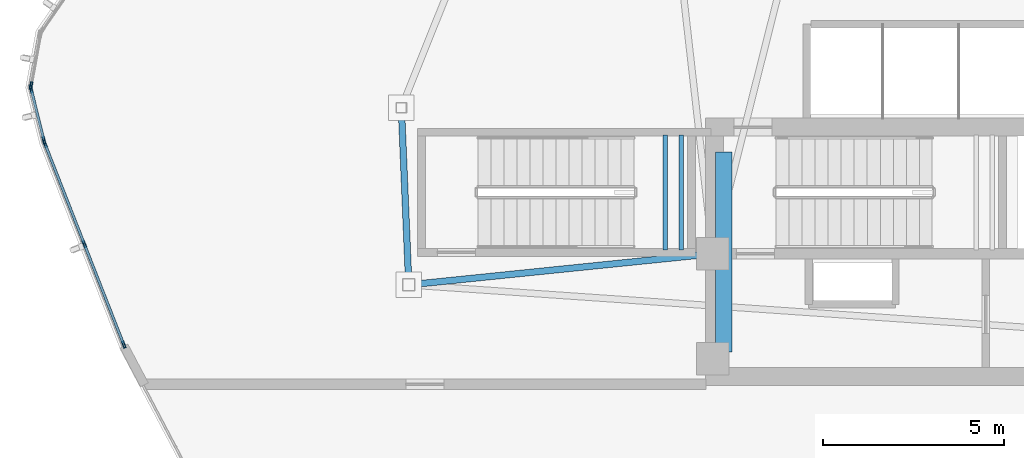
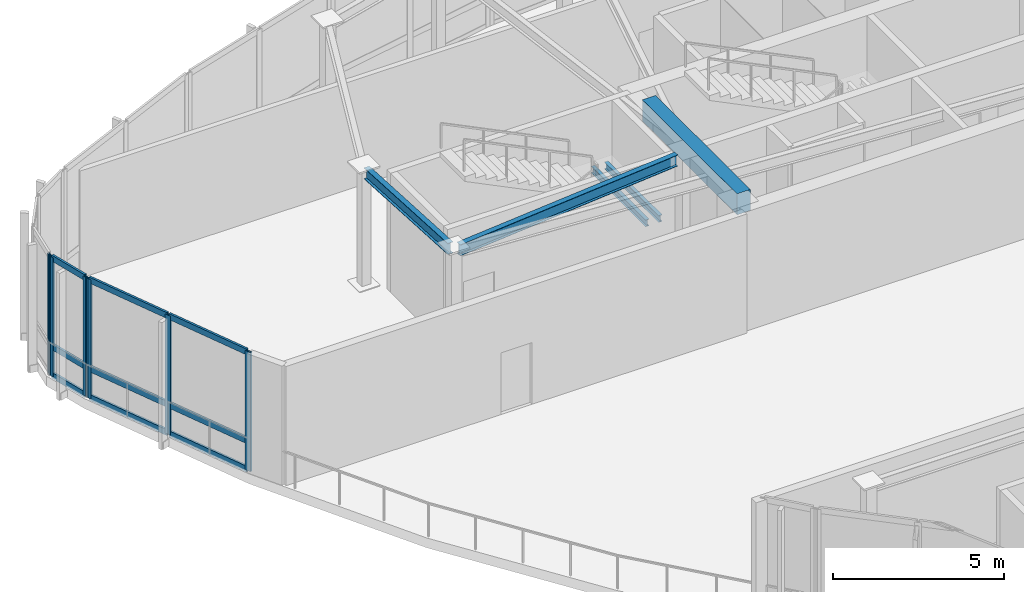
# One storey, part 3 of 16: 15 members, 5 beams, 3 elements without a shape of their own.
"""IFC4 building model written with IfcOpenShell, lengths in metres."""

from ifc_helpers import new_model, si_unit, direction, frame, origin, origin_2d, place, context, subcontext, project, spatial, rectangle, hollow_rectangle, i_section, extrude, source, transform, mapped, material, layer, layer_set, material_profile, profile_set, type_object, type_shapes, element, aggregate, save


model = new_model("IFC4")

# Units and contexts
model_context = context("Model", 3, precision=1e-05, world=origin(), true_north=direction((0.0, 1.0)))
body_context = subcontext(model_context, "Body", "Model", "MODEL_VIEW")
ifc_project = project(units=[si_unit("LENGTHUNIT", "METRE"), si_unit("AREAUNIT", "SQUARE_METRE"), si_unit("VOLUMEUNIT", "CUBIC_METRE"), si_unit("PLANEANGLEUNIT", "RADIAN"), si_unit("MASSUNIT", "GRAM", prefix="KILO")], contexts=[model_context])

# Site, building, storey
site_placement = place(None, origin())
site = spatial("IfcSite", under=ifc_project, at=site_placement, CompositionType="ELEMENT")
building_placement = place(site_placement, origin())
building = spatial("IfcBuilding", under=site, at=building_placement, Name="Tavelor Broadcast Tower", CompositionType="ELEMENT")
storey_placement = place(building_placement, frame((0.0, 0.0, 332.10009765625)))
storey = spatial("IfcBuildingStorey", under=building, at=storey_placement, Name="L79", CompositionType="ELEMENT", Elevation=332.10009765625)

# Beams
ifc_material_1 = material(Name="Concrete C40/50", Category="concrete")
ifc_material_profile_1 = material_profile(ifc_material_1, rectangle(XDim=0.449951171875, YDim=0.75, at=origin_2d()), Name="RC 450x750")
ifc_profile_set_1 = profile_set([ifc_material_profile_1], Name="Concrete C40/50")
beam_type_1 = type_object("IfcBeamType", Name="Basement Core Trim Beam 450x750", PredefinedType="BEAM", material=ifc_profile_set_1)
beam_1_placement = place(storey_placement, frame((43.39990234375, 45.23193359375, 3.875), z_axis=(0.0, 1.0, 0.0), x_axis=(-1.0, 0.0, 0.0)))
element("IfcBeam", 1, at=beam_1_placement, inside=storey, type_object=beam_type_1, Name="L79 Core West-N Tie Girder", PredefinedType="BEAM", context=body_context, shape_type="SweptSolid", body=[
    extrude(rectangle(XDim=0.449951171875, YDim=0.75, at=origin_2d()), origin(), (0.0, 0.0, 1.0), 5.5361328125),
])
ifc_material_2 = material(Name="Steel S355", Category="steel")
ifc_material_profile_2 = material_profile(ifc_material_2, i_section(OverallWidth=0.179931640625, OverallDepth=0.39990234375, WebThickness=0.008544921875, FlangeThickness=0.013427734375, at=origin_2d()), Name="IPE 400")
ifc_profile_set_2 = profile_set([ifc_material_profile_2], Name="Steel S355")
beam_type_2 = type_object("IfcBeamType", Name="Crown Ring Spandrel Beam IPE400", PredefinedType="SPANDREL", material=ifc_profile_set_2)
beam_2_placement = place(storey_placement, frame((34.49169921875, 51.836181640625, 4.0498046875), z_axis=(0.04186598698, -0.999123235209, 0.0), x_axis=(0.999123235209, 0.04186598698, 0.0)))
element("IfcBeam", 2, at=beam_2_placement, inside=storey, type_object=beam_type_2, Name="L79 Crown Peak A Ring Spandrel 2", PredefinedType="SPANDREL", context=body_context, shape_type="SweptSolid", body=[
    extrude(i_section(OverallWidth=0.179931640625, OverallDepth=0.39990234375, WebThickness=0.008544921875, FlangeThickness=0.013427734375, at=origin_2d()), origin(), (0.0, 0.0, 1.0), 4.57177734375),
])
beam_3_placement = place(storey_placement, frame((42.670166015625, 47.906005859375, 4.0498046875), z_axis=(-0.994811533422, -0.101735013494, 0.0), x_axis=(0.101735013494, -0.994811533422, 0.0)))
element("IfcBeam", 3, at=beam_3_placement, inside=storey, type_object=beam_type_2, Name="L79 Crown Peak A Radial Beam 3", PredefinedType="SPANDREL", context=body_context, shape_type="SweptSolid", body=[
    extrude(i_section(OverallWidth=0.179931640625, OverallDepth=0.39990234375, WebThickness=0.008544921875, FlangeThickness=0.013427734375, at=origin_2d()), origin(), (0.0, 0.0, 1.0), 7.842529296875),
])
ifc_material_profile_3 = material_profile(ifc_material_2, i_section(OverallWidth=0.1201171875, OverallDepth=0.239990234375, WebThickness=0.006103515625, FlangeThickness=0.009765625, at=origin_2d()), Name="IPE 240")
ifc_profile_set_3 = profile_set([ifc_material_profile_3], Name="Steel S355")
beam_type_3 = type_object("IfcBeamType", Name="Stairwell Landing Support Trimmer Beam IPE240", PredefinedType="BEAM", material=ifc_profile_set_3)
for number, where, z_axis, x_axis, name in (
    (4, (41.784912109375, 48.06005859375, 1.98486328125), (0.0, 1.0, 0.0), (-1.0, 0.0, 0.0), "L79 Stair Landing Support Beam 473"),
    (5, (42.22509765625, 48.06005859375, 1.98486328125), (0.0, 1.0, 0.0), (-1.0, 0.0, 0.0), "L79 Stair Landing Support Beam 474"),
):
    element("IfcBeam", number, at=place(storey_placement, frame(where, z_axis=z_axis, x_axis=x_axis)), inside=storey, type_object=beam_type_3, Name=name, PredefinedType="BEAM", context=body_context, shape_type="SweptSolid", body=[
        extrude(i_section(OverallWidth=0.1201171875, OverallDepth=0.239990234375, WebThickness=0.006103515625, FlangeThickness=0.009765625, at=origin_2d()), origin(), (0.0, 0.0, 1.0), 3.179931640625),
    ])

# Curtain wall, member
ifc_material_3 = material(Name="Architectural Anodized Aluminium", Category="aluminium")
ifc_layer = layer(ifc_material_3, 0.2099609375)
ifc_layer_set = layer_set([ifc_layer], Name="Architectural Anodized Aluminium")
curtain_wall_type = type_object("IfcCurtainWallType", Name="Split-Crown Beacon Curtain Wall CW06", PredefinedType="NOTDEFINED", material=ifc_layer_set)
curtain_wall_1_placement = place(storey_placement, origin())
curtain_wall_1 = element("IfcCurtainWall", 6, at=curtain_wall_1_placement, inside=storey, type_object=curtain_wall_type, Name="L79 Curtain Wall CW06 Run 891", PredefinedType="NOTDEFINED")
ifc_material_profile_4 = material_profile(ifc_material_3, hollow_rectangle(XDim=0.072021484375, YDim=0.2099609375, WallThickness=0.02197265625, at=origin_2d()), Name="RHS 72x210x22")
ifc_profile_set_4 = profile_set([ifc_material_profile_4], Name="Architectural Anodized Aluminium")
member_type_1 = type_object("IfcMemberType", Name="CW06 Extruded Aluminium Mullion 72x210", PredefinedType="MULLION", material=ifc_profile_set_4)
shared_shape_1 = source(origin(), body_context, "Body", "SweptSolid", [
    extrude(hollow_rectangle(XDim=0.072021484375, YDim=0.2099609375, WallThickness=0.02197265625, at=origin_2d()), origin(), (0.0, 0.0, 1.0), 4.25),
])
type_shapes(member_type_1, [shared_shape_1])
member_1_placement = place(storey_placement, frame((24.24365234375, 52.601806640625, 0.0), z_axis=(0.0, 0.0, 1.0), x_axis=(0.983728684272, -0.179660445675, 0.0)))
member_1 = element("IfcMember", 7, at=member_1_placement, type_object=member_type_1, Name="CW06 mullion 2", PredefinedType="MULLION", context=body_context, shape_type="MappedRepresentation", body=[
    mapped(shared_shape_1, transform((0.0, 0.0, 0.0), scale=1.0)),
])
aggregate(curtain_wall_1, [member_1])

# Curtain wall, members
curtain_wall_2_placement = place(storey_placement, origin())
curtain_wall_2 = element("IfcCurtainWall", 8, at=curtain_wall_2_placement, inside=storey, type_object=curtain_wall_type, Name="L79 Curtain Wall CW06 Run 892", PredefinedType="NOTDEFINED")
member_2_placement = place(storey_placement, frame((24.246826171875, 52.501953125, 0.0), z_axis=(0.0, 0.0, 1.0), x_axis=(0.970510189258, 0.241060101522, 0.0)))
member_2 = element("IfcMember", 9, at=member_2_placement, type_object=member_type_1, Name="CW06 mullion 1", PredefinedType="MULLION", context=body_context, shape_type="MappedRepresentation", body=[
    mapped(shared_shape_1, transform((0.0, 0.0, 0.0), scale=1.0)),
])
member_3_placement = place(storey_placement, frame((24.5986328125, 51.0859375, 0.0), z_axis=(0.0, 0.0, 1.0), x_axis=(0.970510189258, 0.241060101522, 0.0)))
member_3 = element("IfcMember", 10, at=member_3_placement, type_object=member_type_1, Name="CW06 mullion 2", PredefinedType="MULLION", context=body_context, shape_type="MappedRepresentation", body=[
    mapped(shared_shape_1, transform((0.0, 0.0, 0.0), scale=1.0)),
])

curtain_wall_3_placement = place(storey_placement, origin())
curtain_wall_3 = element("IfcCurtainWall", 11, at=curtain_wall_3_placement, inside=storey, type_object=curtain_wall_type, Name="L79 Curtain Wall CW06 Run 893", PredefinedType="NOTDEFINED")
member_4_placement = place(storey_placement, frame((24.62939453125, 50.98876953125, 0.0), z_axis=(0.0, 0.0, 1.0), x_axis=(0.930929454093, 0.365199057368, 0.0)))
member_4 = element("IfcMember", 12, at=member_4_placement, type_object=member_type_1, Name="CW06 mullion 1", PredefinedType="MULLION", context=body_context, shape_type="MappedRepresentation", body=[
    mapped(shared_shape_1, transform((0.0, 0.0, 0.0), scale=1.0)),
])
member_5_placement = place(storey_placement, frame((25.718017578125, 48.2138671875, 0.0), z_axis=(0.0, 0.0, 1.0), x_axis=(0.930929454093, 0.365199057368, 0.0)))
member_5 = element("IfcMember", 13, at=member_5_placement, type_object=member_type_1, Name="CW06 mullion 2", PredefinedType="MULLION", context=body_context, shape_type="MappedRepresentation", body=[
    mapped(shared_shape_1, transform((0.0, 0.0, 0.0), scale=1.0)),
])
member_6_placement = place(storey_placement, frame((26.806640625, 45.438720703125, 0.0), z_axis=(0.0, 0.0, 1.0), x_axis=(0.930929454093, 0.365199057368, 0.0)))
member_6 = element("IfcMember", 14, at=member_6_placement, type_object=member_type_1, Name="CW06 mullion 3", PredefinedType="MULLION", context=body_context, shape_type="MappedRepresentation", body=[
    mapped(shared_shape_1, transform((0.0, 0.0, 0.0), scale=1.0)),
])

# Member
ifc_material_profile_5 = material_profile(ifc_material_3, hollow_rectangle(XDim=0.072021484375, YDim=0.2099609375, WallThickness=0.02197265625, at=origin_2d()), Name="RHS 72x210x22")
ifc_profile_set_5 = profile_set([ifc_material_profile_5], Name="Architectural Anodized Aluminium")
member_type_2 = type_object("IfcMemberType", Name="CW06 Extruded Aluminium Transom 72x210", PredefinedType="USERDEFINED", material=ifc_profile_set_5)
shared_shape_2 = source(origin(), body_context, "Body", "SweptSolid", [
    extrude(hollow_rectangle(XDim=0.072021484375, YDim=0.2099609375, WallThickness=0.02197265625, at=origin_2d()), origin(), (0.0, 0.0, 1.0), 1.386962890625),
])
member_7_placement = place(storey_placement, frame((24.255615234375, 52.467041015625, 0.035888671875), z_axis=(0.240961544274, -0.97053466408, 0.0), x_axis=(0.97053466408, 0.240961544274, 0.0)))
member_7 = element("IfcMember", 15, at=member_7_placement, type_object=member_type_2, Name="CW06 transom 1.1", ObjectType="TRANSOM", PredefinedType="USERDEFINED", context=body_context, shape_type="MappedRepresentation", body=[
    mapped(shared_shape_2, transform((0.0, 0.0, 0.0), scale=1.0)),
])

member_8_placement = place(storey_placement, frame((24.255615234375, 52.467041015625, 1.0498046875), z_axis=(0.240961544274, -0.97053466408, 0.0), x_axis=(0.97053466408, 0.240961544274, 0.0)))
member_8 = element("IfcMember", 16, at=member_8_placement, type_object=member_type_2, Name="CW06 transom 1.2", ObjectType="TRANSOM", PredefinedType="USERDEFINED", context=body_context, shape_type="MappedRepresentation", body=[
    mapped(shared_shape_2, transform((0.0, 0.0, 0.0), scale=1.0)),
])

member_9_placement = place(storey_placement, frame((24.255615234375, 52.467041015625, 4.2138671875), z_axis=(0.240961544274, -0.97053466408, 0.0), x_axis=(0.97053466408, 0.240961544274, 0.0)))
member_9 = element("IfcMember", 17, at=member_9_placement, type_object=member_type_2, Name="CW06 transom 1.3", ObjectType="TRANSOM", PredefinedType="USERDEFINED", context=body_context, shape_type="MappedRepresentation", body=[
    mapped(shared_shape_2, transform((0.0, 0.0, 0.0), scale=1.0)),
])

aggregate(curtain_wall_2, [member_2, member_3, member_7, member_8, member_9])

shared_shape_3 = source(origin(), body_context, "Body", "SweptSolid", [
    extrude(hollow_rectangle(XDim=0.072021484375, YDim=0.2099609375, WallThickness=0.02197265625, at=origin_2d()), origin(), (0.0, 0.0, 1.0), 2.908935546875),
])
type_shapes(member_type_2, [shared_shape_2, shared_shape_3])
member_10_placement = place(storey_placement, frame((24.642578125, 50.955322265625, 0.035888671875), z_axis=(0.365174532465, -0.930939074719, 0.0), x_axis=(0.930939074719, 0.365174532465, 0.0)))
member_10 = element("IfcMember", 18, at=member_10_placement, type_object=member_type_2, Name="CW06 transom 1.1", ObjectType="TRANSOM", PredefinedType="USERDEFINED", context=body_context, shape_type="MappedRepresentation", body=[
    mapped(shared_shape_3, transform((0.0, 0.0, 0.0), scale=1.0)),
])

member_11_placement = place(storey_placement, frame((24.642578125, 50.955322265625, 1.0498046875), z_axis=(0.365174532465, -0.930939074719, 0.0), x_axis=(0.930939074719, 0.365174532465, 0.0)))
member_11 = element("IfcMember", 19, at=member_11_placement, type_object=member_type_2, Name="CW06 transom 1.2", ObjectType="TRANSOM", PredefinedType="USERDEFINED", context=body_context, shape_type="MappedRepresentation", body=[
    mapped(shared_shape_3, transform((0.0, 0.0, 0.0), scale=1.0)),
])

member_12_placement = place(storey_placement, frame((24.642578125, 50.955322265625, 4.2138671875), z_axis=(0.365174532465, -0.930939074719, 0.0), x_axis=(0.930939074719, 0.365174532465, 0.0)))
member_12 = element("IfcMember", 20, at=member_12_placement, type_object=member_type_2, Name="CW06 transom 1.3", ObjectType="TRANSOM", PredefinedType="USERDEFINED", context=body_context, shape_type="MappedRepresentation", body=[
    mapped(shared_shape_3, transform((0.0, 0.0, 0.0), scale=1.0)),
])

member_13_placement = place(storey_placement, frame((25.731201171875, 48.18017578125, 0.035888671875), z_axis=(0.365247265875, -0.930910540692, 0.0), x_axis=(0.930910540692, 0.365247265875, 0.0)))
member_13 = element("IfcMember", 21, at=member_13_placement, type_object=member_type_2, Name="CW06 transom 2.1", ObjectType="TRANSOM", PredefinedType="USERDEFINED", context=body_context, shape_type="MappedRepresentation", body=[
    mapped(shared_shape_3, transform((0.0, 0.0, 0.0), scale=1.0)),
])

member_14_placement = place(storey_placement, frame((25.731201171875, 48.18017578125, 1.0498046875), z_axis=(0.365247265875, -0.930910540692, 0.0), x_axis=(0.930910540692, 0.365247265875, 0.0)))
member_14 = element("IfcMember", 22, at=member_14_placement, type_object=member_type_2, Name="CW06 transom 2.2", ObjectType="TRANSOM", PredefinedType="USERDEFINED", context=body_context, shape_type="MappedRepresentation", body=[
    mapped(shared_shape_3, transform((0.0, 0.0, 0.0), scale=1.0)),
])

member_15_placement = place(storey_placement, frame((25.731201171875, 48.18017578125, 4.2138671875), z_axis=(0.365247265875, -0.930910540692, 0.0), x_axis=(0.930910540692, 0.365247265875, 0.0)))
member_15 = element("IfcMember", 23, at=member_15_placement, type_object=member_type_2, Name="CW06 transom 2.3", ObjectType="TRANSOM", PredefinedType="USERDEFINED", context=body_context, shape_type="MappedRepresentation", body=[
    mapped(shared_shape_3, transform((0.0, 0.0, 0.0), scale=1.0)),
])

aggregate(curtain_wall_3, [member_4, member_5, member_6, member_10, member_11, member_12, member_13, member_14, member_15])

save(model, "model.ifc")
